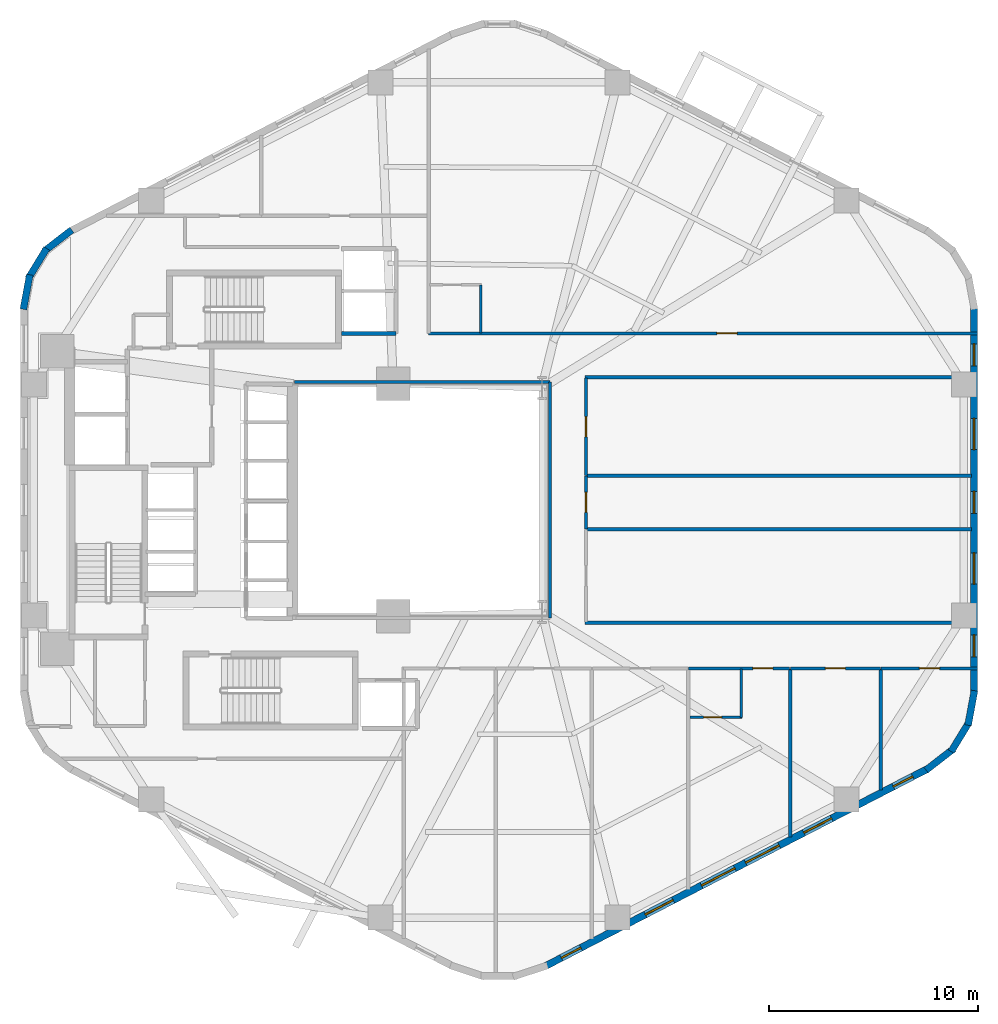
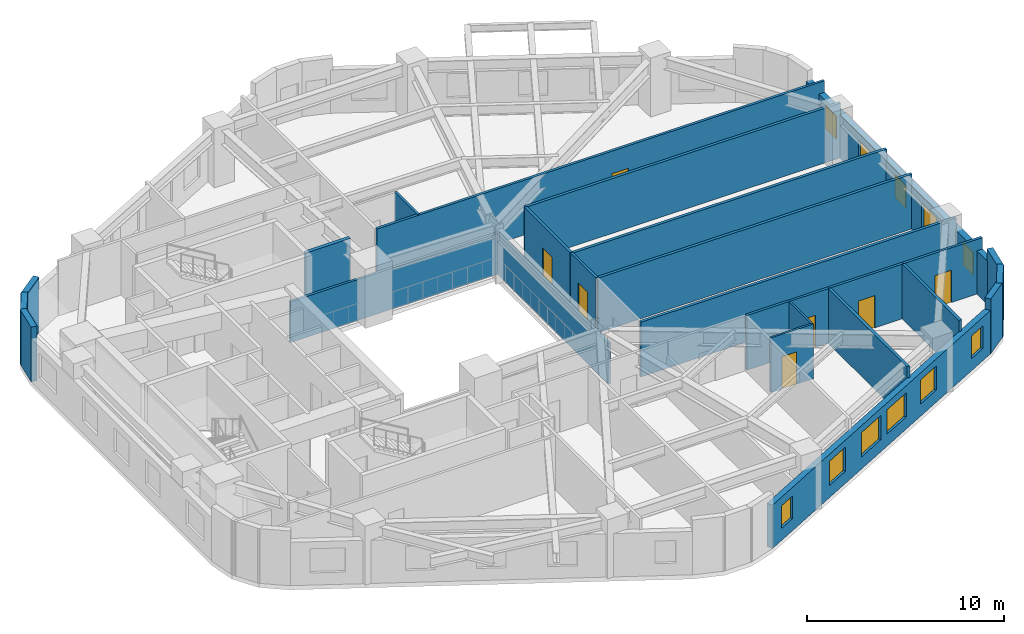
# One storey, part 4 of 7: 26 walls, 11 windows, 7 doors, 18 openings.
"""IFC4 building model written with IfcOpenShell, lengths in metres."""

from ifc_helpers import new_model, si_unit, direction, frame, frame_2d, origin, place, context, subcontext, project, spatial, rectangle, extrude, material, layer, layer_set, type_object, element, fill, save


model = new_model("IFC4")

# Units and contexts
model_context = context("Model", 3, precision=1e-05, world=origin(), true_north=direction((0.0, 1.0)))
body_context = subcontext(model_context, "Body", "Model", "MODEL_VIEW")
ifc_project = project(units=[si_unit("LENGTHUNIT", "METRE"), si_unit("AREAUNIT", "SQUARE_METRE"), si_unit("VOLUMEUNIT", "CUBIC_METRE"), si_unit("PLANEANGLEUNIT", "RADIAN"), si_unit("MASSUNIT", "GRAM", prefix="KILO"), si_unit("THERMODYNAMICTEMPERATUREUNIT", "KELVIN"), si_unit("POWERUNIT", "WATT")], contexts=[model_context])

# Site, building, storey
site_placement = place(None, origin())
site = spatial("IfcSite", under=ifc_project, at=site_placement, CompositionType="ELEMENT")
building_placement = place(site_placement, origin())
building = spatial("IfcBuilding", under=site, at=building_placement, Name="Skarre Station Tower", CompositionType="ELEMENT")
storey_placement = place(building_placement, frame((0.0, 0.0, 78.10009765625)))
storey = spatial("IfcBuildingStorey", under=building, at=storey_placement, Name="L20", CompositionType="ELEMENT", Elevation=78.10009765625)

# Walls
ifc_material_1 = material(Name="Acoustic Steel-Stud Gypsum Partition", Category="steel")
ifc_layer_1 = layer(ifc_material_1, 0.14990234375, Name="Acoustic Steel-Stud Gypsum Partition")
ifc_layer_set_1 = layer_set([ifc_layer_1], Name="Acoustic Steel-Stud Gypsum Partition")
wall_type_1 = type_object("IfcWallType", Name="Fire-Rated Corridor Acoustic Partition 150", PredefinedType="PARTITIONING", material=ifc_layer_set_1)
wall_1_placement = place(storey_placement, frame((39.840087890625, 29.639892578125, 0.0), z_axis=(0.0, 0.0, 1.0), x_axis=(-1.0, 0.0, 0.0)))
element("IfcWall", 1, at=wall_1_placement, inside=storey, type_object=wall_type_1, Name="L20 Interior Partition WL-PT-L20-ATRW-N", PredefinedType="PARTITIONING", context=body_context, shape_type="SweptSolid", body=[
    extrude(rectangle(XDim=12.2001953125, YDim=0.14990234375, at=frame_2d((6.10009765625, 0.0))), origin(), (0.0, 0.0, 1.0), 2.531005859375),
])
wall_2_placement = place(storey_placement, frame((39.840087890625, 18.360107421875, 0.0), z_axis=(0.0, 0.0, 1.0), x_axis=(0.0, 1.0, 0.0)))
element("IfcWall", 2, at=wall_2_placement, inside=storey, type_object=wall_type_1, Name="L20 Interior Partition WL-PT-L20-ATRW-E", PredefinedType="PARTITIONING", context=body_context, shape_type="SweptSolid", body=[
    extrude(rectangle(XDim=11.27978515625, YDim=0.14990234375, at=frame_2d((5.639892578125, 0.0))), origin(), (0.0, 0.0, 1.0), 2.512939453125),
])

# Wall, opening, door
wall_3_placement = place(storey_placement, frame((60.2529296875, 31.9599609375, 0.0), z_axis=(0.0, 0.0, 1.0), x_axis=(-1.0, 0.0, 0.0)))
wall_3 = element("IfcWall", 3, at=wall_3_placement, inside=storey, type_object=wall_type_1, Name="L20 Interior Partition WL-PT-L20-NW1-CW", PredefinedType="PARTITIONING", context=body_context, shape_type="SweptSolid", body=[
    extrude(rectangle(XDim=26.212890625, YDim=0.14990234375, at=frame_2d((13.1064453125, 0.0))), origin(), (0.0, 0.0, 1.0), 3.389892578125),
])
opening_1_placement = place(wall_3_placement, frame((11.47705078125, 0.0, 0.0)))
opening_1 = element("IfcOpeningElement", 4, at=opening_1_placement, cuts=wall_3, Name="Opening DR-FD60", PredefinedType="OPENING", context=body_context, shape_type="SweptSolid", body=[
    extrude(rectangle(XDim=0.9599609375, YDim=2.0, at=frame_2d((0.47998046875, 1.0))), frame((0.0, 0.0849609375, 0.0), z_axis=(0.0, -1.0, 0.0), x_axis=(1.0, 0.0, 0.0)), (0.0, 0.0, 1.0), 0.169921875),
])
ifc_material_2 = material(Name="Nordic White-Oak Veneer Solid-Core Fire Leaf", Category="wood")
door_type_1 = type_object("IfcDoorType", Name="Corridor Suite Entry Fire Door FD60 960x2150", OperationType="SINGLE_SWING_LEFT", PredefinedType="DOOR", material=ifc_material_2)
door_1_placement = place(opening_1_placement, origin())
door_1 = element("IfcDoor", 5, at=door_1_placement, inside=storey, type_object=door_type_1, Name="L20 NW1 Entry Door", OperationType="SINGLE_SWING_LEFT", OverallHeight=2.0, OverallWidth=0.9599609375, PredefinedType="DOOR", context=body_context, shape_type="SweptSolid", body=[
    extrude(rectangle(XDim=0.9599609375, YDim=2.0, at=frame_2d((0.47998046875, 1.0))), frame((0.0, 0.02490234375, 0.0), z_axis=(0.0, -1.0, 0.0), x_axis=(1.0, 0.0, 0.0)), (0.0, 0.0, 1.0), 0.050048828125),
])
fill(opening_1, door_1)

wall_4_placement = place(storey_placement, frame((41.56005859375, 22.62109375, 0.0), z_axis=(0.0, 0.0, 1.0), x_axis=(0.0, 1.0, 0.0)))
wall_4 = element("IfcWall", 6, at=wall_4_placement, inside=storey, type_object=wall_type_1, Name="L20 Interior Partition WL-PT-L20-EW2-CW", PredefinedType="PARTITIONING", context=body_context, shape_type="SweptSolid", body=[
    extrude(rectangle(XDim=2.52490234375, YDim=0.14990234375, at=frame_2d((1.262451171875, 0.0))), origin(), (0.0, 0.0, 1.0), 3.389892578125),
])
opening_2_placement = place(wall_4_placement, frame((0.782958984375, 0.0, 0.0)))
opening_2 = element("IfcOpeningElement", 7, at=opening_2_placement, cuts=wall_4, Name="Opening DR-FD60", PredefinedType="OPENING", context=body_context, shape_type="SweptSolid", body=[
    extrude(rectangle(XDim=0.9599609375, YDim=2.0, at=frame_2d((0.47998046875, 1.0))), frame((0.0, 0.0849609375, 0.0), z_axis=(0.0, -1.0, 0.0), x_axis=(1.0, 0.0, 0.0)), (0.0, 0.0, 1.0), 0.169921875),
])
door_2_placement = place(opening_2_placement, origin())
door_2 = element("IfcDoor", 8, at=door_2_placement, inside=storey, type_object=door_type_1, Name="L20 EW2 Entry Door", OperationType="SINGLE_SWING_LEFT", OverallHeight=2.0, OverallWidth=0.9599609375, PredefinedType="DOOR", context=body_context, shape_type="SweptSolid", body=[
    extrude(rectangle(XDim=0.9599609375, YDim=2.0, at=frame_2d((0.47998046875, 1.0))), frame((0.0, 0.02490234375, 0.0), z_axis=(0.0, -1.0, 0.0), x_axis=(1.0, 0.0, 0.0)), (0.0, 0.0, 1.0), 0.050048828125),
])
fill(opening_2, door_2)

wall_5_placement = place(storey_placement, frame((41.56005859375, 25.181884765625, 0.0), z_axis=(0.0, 0.0, 1.0), x_axis=(0.0, 1.0, 0.0)))
wall_5 = element("IfcWall", 9, at=wall_5_placement, inside=storey, type_object=wall_type_1, Name="L20 Interior Partition WL-PT-L20-EW3-CW", PredefinedType="PARTITIONING", context=body_context, shape_type="SweptSolid", body=[
    extrude(rectangle(XDim=4.63818359375, YDim=0.14990234375, at=frame_2d((2.319091796875, 0.0))), origin(), (0.0, 0.0, 1.0), 3.389892578125),
])
opening_3_placement = place(wall_5_placement, frame((1.839111328125, 0.0, 0.0)))
opening_3 = element("IfcOpeningElement", 10, at=opening_3_placement, cuts=wall_5, Name="Opening DR-FD60", PredefinedType="OPENING", context=body_context, shape_type="SweptSolid", body=[
    extrude(rectangle(XDim=0.9599609375, YDim=2.0, at=frame_2d((0.47998046875, 1.0))), frame((0.0, 0.0849609375, 0.0), z_axis=(0.0, -1.0, 0.0), x_axis=(1.0, 0.0, 0.0)), (0.0, 0.0, 1.0), 0.169921875),
])
door_3_placement = place(opening_3_placement, origin())
door_3 = element("IfcDoor", 11, at=door_3_placement, inside=storey, type_object=door_type_1, Name="L20 EW3 Entry Door", OperationType="SINGLE_SWING_LEFT", OverallHeight=2.0, OverallWidth=0.9599609375, PredefinedType="DOOR", context=body_context, shape_type="SweptSolid", body=[
    extrude(rectangle(XDim=0.9599609375, YDim=2.0, at=frame_2d((0.47998046875, 1.0))), frame((0.0, 0.02490234375, 0.0), z_axis=(0.0, -1.0, 0.0), x_axis=(1.0, 0.0, 0.0)), (0.0, 0.0, 1.0), 0.050048828125),
])
fill(opening_3, door_3)

wall_6_placement = place(storey_placement, frame((46.4599609375, 15.9599609375, 0.0), z_axis=(0.0, 0.0, 1.0), x_axis=(1.0, 0.0, 0.0)))
wall_6 = element("IfcWall", 12, at=wall_6_placement, inside=storey, type_object=wall_type_1, Name="L20 Interior Partition WL-PT-L20-SW4-CW", PredefinedType="PARTITIONING", context=body_context, shape_type="SweptSolid", body=[
    extrude(rectangle(XDim=4.8310546875, YDim=0.14990234375, at=frame_2d((2.41552734375, 0.0))), origin(), (0.0, 0.0, 1.0), 3.389892578125),
])
opening_4_placement = place(wall_6_placement, frame((3.071044921875, 0.0, 0.0)))
opening_4 = element("IfcOpeningElement", 13, at=opening_4_placement, cuts=wall_6, Name="Opening DR-FD60", PredefinedType="OPENING", context=body_context, shape_type="SweptSolid", body=[
    extrude(rectangle(XDim=0.9599609375, YDim=2.0, at=frame_2d((0.47998046875, 1.0))), frame((0.0, 0.0849609375, 0.0), z_axis=(0.0, -1.0, 0.0), x_axis=(1.0, 0.0, 0.0)), (0.0, 0.0, 1.0), 0.169921875),
])
door_4_placement = place(opening_4_placement, origin())
door_4 = element("IfcDoor", 14, at=door_4_placement, inside=storey, type_object=door_type_1, Name="L20 SW4 Entry Door", OperationType="SINGLE_SWING_LEFT", OverallHeight=2.0, OverallWidth=0.9599609375, PredefinedType="DOOR", context=body_context, shape_type="SweptSolid", body=[
    extrude(rectangle(XDim=0.9599609375, YDim=2.0, at=frame_2d((0.47998046875, 1.0))), frame((0.0, 0.02490234375, 0.0), z_axis=(0.0, -1.0, 0.0), x_axis=(1.0, 0.0, 0.0)), (0.0, 0.0, 1.0), 0.050048828125),
])
fill(opening_4, door_4)

wall_7_placement = place(storey_placement, frame((51.326904296875, 15.9599609375, 0.0), z_axis=(0.0, 0.0, 1.0), x_axis=(1.0, 0.0, 0.0)))
wall_7 = element("IfcWall", 15, at=wall_7_placement, inside=storey, type_object=wall_type_1, Name="L20 Interior Partition WL-PT-L20-SW5-CW", PredefinedType="PARTITIONING", context=body_context, shape_type="SweptSolid", body=[
    extrude(rectangle(XDim=4.291015625, YDim=0.14990234375, at=frame_2d((2.1455078125, 0.0))), origin(), (0.0, 0.0, 1.0), 3.389892578125),
])
opening_5_placement = place(wall_7_placement, frame((1.666015625, 0.0, 0.0)))
opening_5 = element("IfcOpeningElement", 16, at=opening_5_placement, cuts=wall_7, Name="Opening DR-FD60", PredefinedType="OPENING", context=body_context, shape_type="SweptSolid", body=[
    extrude(rectangle(XDim=0.9599609375, YDim=2.0, at=frame_2d((0.47998046875, 1.0))), frame((0.0, 0.0849609375, 0.0), z_axis=(0.0, -1.0, 0.0), x_axis=(1.0, 0.0, 0.0)), (0.0, 0.0, 1.0), 0.169921875),
])
door_5_placement = place(opening_5_placement, origin())
door_5 = element("IfcDoor", 17, at=door_5_placement, inside=storey, type_object=door_type_1, Name="L20 SW5 Entry Door", OperationType="SINGLE_SWING_LEFT", OverallHeight=2.0, OverallWidth=0.9599609375, PredefinedType="DOOR", context=body_context, shape_type="SweptSolid", body=[
    extrude(rectangle(XDim=0.9599609375, YDim=2.0, at=frame_2d((0.47998046875, 1.0))), frame((0.0, 0.02490234375, 0.0), z_axis=(0.0, -1.0, 0.0), x_axis=(1.0, 0.0, 0.0)), (0.0, 0.0, 1.0), 0.050048828125),
])
fill(opening_5, door_5)

wall_8_placement = place(storey_placement, frame((55.654052734375, 15.9599609375, 0.0), z_axis=(0.0, 0.0, 1.0), x_axis=(1.0, 0.0, 0.0)))
wall_8 = element("IfcWall", 18, at=wall_8_placement, inside=storey, type_object=wall_type_1, Name="L20 Interior Partition WL-PT-L20-SW6-CW", PredefinedType="PARTITIONING", context=body_context, shape_type="SweptSolid", body=[
    extrude(rectangle(XDim=4.598876953125, YDim=0.14990234375, at=frame_2d((2.29931640625, 0.0))), origin(), (0.0, 0.0, 1.0), 3.389892578125),
])
opening_6_placement = place(wall_8_placement, frame((1.8330078125, 0.0, 0.0)))
opening_6 = element("IfcOpeningElement", 19, at=opening_6_placement, cuts=wall_8, Name="Opening DR-FD60", PredefinedType="OPENING", context=body_context, shape_type="SweptSolid", body=[
    extrude(rectangle(XDim=0.9599609375, YDim=2.0, at=frame_2d((0.47998046875, 1.0))), frame((0.0, 0.0849609375, 0.0), z_axis=(0.0, -1.0, 0.0), x_axis=(1.0, 0.0, 0.0)), (0.0, 0.0, 1.0), 0.169921875),
])
door_6_placement = place(opening_6_placement, origin())
door_6 = element("IfcDoor", 20, at=door_6_placement, inside=storey, type_object=door_type_1, Name="L20 SW6 Entry Door", OperationType="SINGLE_SWING_LEFT", OverallHeight=2.0, OverallWidth=0.9599609375, PredefinedType="DOOR", context=body_context, shape_type="SweptSolid", body=[
    extrude(rectangle(XDim=0.9599609375, YDim=2.0, at=frame_2d((0.47998046875, 1.0))), frame((0.0, 0.02490234375, 0.0), z_axis=(0.0, -1.0, 0.0), x_axis=(1.0, 0.0, 0.0)), (0.0, 0.0, 1.0), 0.050048828125),
])
fill(opening_6, door_6)

# Wall
ifc_material_3 = material(Name="Insulated Timber-Stud Gypsum Partition", Category="wood")
ifc_layer_2 = layer(ifc_material_3, 0.1201171875, Name="Insulated Timber-Stud Gypsum Partition")
ifc_layer_set_2 = layer_set([ifc_layer_2], Name="Insulated Timber-Stud Gypsum Partition")
wall_type_2 = type_object("IfcWallType", Name="Internal Suite Acoustic Partition 120", PredefinedType="PARTITIONING", material=ifc_layer_set_2)
wall_9_placement = place(storey_placement, frame((36.530029296875, 31.97998046875, 0.0), z_axis=(0.0, 0.0, 1.0), x_axis=(0.0, 1.0, 0.0)))
element("IfcWall", 21, at=wall_9_placement, inside=storey, type_object=wall_type_2, Name="L20 Interior Partition WL-PT-L20-NW1-SA2", PredefinedType="PARTITIONING", context=body_context, shape_type="SweptSolid", body=[
    extrude(rectangle(XDim=2.300048828125, YDim=0.1201171875, at=frame_2d((1.14990234375, 0.0))), origin(), (0.0, 0.0, 1.0), 3.389892578125),
])

# Wall, opening, door
wall_10_placement = place(storey_placement, frame((46.527099609375, 13.6201171875, 0.0), z_axis=(0.0, 0.0, 1.0), x_axis=(1.0, 0.0, 0.0)))
wall_10 = element("IfcWall", 22, at=wall_10_placement, inside=storey, type_object=wall_type_2, Name="L20 Interior Partition WL-PT-L20-SW4-SA1", PredefinedType="PARTITIONING", context=body_context, shape_type="SweptSolid", body=[
    extrude(rectangle(XDim=2.47998046875, YDim=0.1201171875, at=frame_2d((1.239990234375, 0.0))), origin(), (0.0, 0.0, 1.0), 3.389892578125),
])
opening_7_placement = place(wall_10_placement, frame((0.64990234375, 0.0, 0.0)))
opening_7 = element("IfcOpeningElement", 23, at=opening_7_placement, cuts=wall_10, Name="Opening DR-INT86", PredefinedType="OPENING", context=body_context, shape_type="SweptSolid", body=[
    extrude(rectangle(XDim=0.860107421875, YDim=2.0, at=frame_2d((0.43017578125, 1.0))), frame((0.0, 0.070068359375, 0.0), z_axis=(0.0, -1.0, 0.0), x_axis=(1.0, 0.0, 0.0)), (0.0, 0.0, 1.0), 0.14013671875),
])
ifc_material_4 = material(Name="Nordic Birch Acoustic Solid-Core Timber Leaf", Category="wood")
door_type_2 = type_object("IfcDoorType", Name="Internal En-Suite & Bedroom Door 860x2100", OperationType="SINGLE_SWING_LEFT", PredefinedType="DOOR", material=ifc_material_4)
door_7_placement = place(opening_7_placement, origin())
door_7 = element("IfcDoor", 24, at=door_7_placement, inside=storey, type_object=door_type_2, Name="L20 SW4 Alcove Store Door", OperationType="SINGLE_SWING_LEFT", OverallHeight=2.0, OverallWidth=0.860107421875, PredefinedType="DOOR", context=body_context, shape_type="SweptSolid", body=[
    extrude(rectangle(XDim=0.860107421875, YDim=2.0, at=frame_2d((0.43017578125, 1.0))), frame((0.0, 0.02490234375, 0.0), z_axis=(0.0, -1.0, 0.0), x_axis=(1.0, 0.0, 0.0)), (0.0, 0.0, 1.0), 0.050048828125),
])
fill(opening_7, door_7)

# Wall
wall_11_placement = place(storey_placement, frame((48.97705078125, 13.6201171875, 0.0), z_axis=(0.0, 0.0, 1.0), x_axis=(0.0, 1.0, 0.0)))
element("IfcWall", 25, at=wall_11_placement, inside=storey, type_object=wall_type_2, Name="L20 Interior Partition WL-PT-L20-SW4-SA2", PredefinedType="PARTITIONING", context=body_context, shape_type="SweptSolid", body=[
    extrude(rectangle(XDim=2.2998046875, YDim=0.1201171875, at=frame_2d((1.14990234375, 0.0))), origin(), (0.0, 0.0, 1.0), 3.389892578125),
])

# Wall, openings, windows
ifc_material_5 = material(Name="Precast concrete C45/55", Category="concrete")
ifc_layer_3 = layer(ifc_material_5, 0.340087890625, Name="Precast concrete C45/55")
ifc_layer_set_3 = layer_set([ifc_layer_3], Name="Precast concrete C45/55")
wall_type_3 = type_object("IfcWallType", Name="Nordic Honed Precast Facet Wall 340", PredefinedType="STANDARD", material=ifc_layer_set_3)
wall_12_placement = place(storey_placement, frame((57.8759765625, 11.158935546875, 0.0), z_axis=(0.0, 0.0, 1.0), x_axis=(-0.888634413993, -0.458616264721, 0.0)))
wall_12 = element("IfcWall", 26, at=wall_12_placement, inside=storey, type_object=wall_type_3, Name="L20 Facet 4 Nordic Precast Masonry Wall", PredefinedType="STANDARD", context=body_context, shape_type="SweptSolid", body=[
    extrude(rectangle(XDim=20.53125, YDim=0.340087890625, at=frame_2d((10.265625, 0.0))), origin(), (0.0, 0.0, 1.0), 2.683837890625),
])
opening_8_placement = place(wall_12_placement, frame((0.798095703125, 0.0, 0.75)))
opening_8 = element("IfcOpeningElement", 27, at=opening_8_placement, cuts=wall_12, Name="Opening WN-SLT", PredefinedType="OPENING", context=body_context, shape_type="SweptSolid", body=[
    extrude(rectangle(XDim=1.050048828125, YDim=1.39990234375, at=frame_2d((0.52490234375, 0.699951171875))), frame((0.0, 0.179931640625, 0.0), z_axis=(0.0, -1.0, 0.0), x_axis=(1.0, 0.0, 0.0)), (0.0, 0.0, 1.0), 0.360107421875),
])
opening_9_placement = place(wall_12_placement, frame((5.156005859375, 0.0, 0.75)))
opening_9 = element("IfcOpeningElement", 28, at=opening_9_placement, cuts=wall_12, Name="Opening WN-Z1B", PredefinedType="OPENING", context=body_context, shape_type="SweptSolid", body=[
    extrude(rectangle(XDim=1.5, YDim=1.5, at=frame_2d((0.75, 0.75))), frame((0.0, 0.179931640625, 0.0), z_axis=(0.0, -1.0, 0.0), x_axis=(1.0, 0.0, 0.0)), (0.0, 0.0, 1.0), 0.360107421875),
])
opening_10_placement = place(wall_12_placement, frame((7.97900390625, 0.0, 0.75)))
opening_10 = element("IfcOpeningElement", 29, at=opening_10_placement, cuts=wall_12, Name="Opening WN-Z1A", PredefinedType="OPENING", context=body_context, shape_type="SweptSolid", body=[
    extrude(rectangle(XDim=1.800048828125, YDim=1.5, at=frame_2d((0.89990234375, 0.75))), frame((0.0, 0.179931640625, 0.0), z_axis=(0.0, -1.0, 0.0), x_axis=(1.0, 0.0, 0.0)), (0.0, 0.0, 1.0), 0.360107421875),
])
opening_11_placement = place(wall_12_placement, frame((10.35498046875, 0.0, 0.75)))
opening_11 = element("IfcOpeningElement", 30, at=opening_11_placement, cuts=wall_12, Name="Opening WN-Z1A", PredefinedType="OPENING", context=body_context, shape_type="SweptSolid", body=[
    extrude(rectangle(XDim=1.800048828125, YDim=1.5, at=frame_2d((0.89990234375, 0.75))), frame((0.0, 0.179931640625, 0.0), z_axis=(0.0, -1.0, 0.0), x_axis=(1.0, 0.0, 0.0)), (0.0, 0.0, 1.0), 0.360107421875),
])
opening_12_placement = place(wall_12_placement, frame((13.676025390625, 0.0, 0.75)))
opening_12 = element("IfcOpeningElement", 31, at=opening_12_placement, cuts=wall_12, Name="Opening WN-Z1B", PredefinedType="OPENING", context=body_context, shape_type="SweptSolid", body=[
    extrude(rectangle(XDim=1.5, YDim=1.5, at=frame_2d((0.75, 0.75))), frame((0.0, 0.179931640625, 0.0), z_axis=(0.0, -1.0, 0.0), x_axis=(1.0, 0.0, 0.0)), (0.0, 0.0, 1.0), 0.360107421875),
])
opening_13_placement = place(wall_12_placement, frame((18.636962890625, 0.0, 0.75)))
opening_13 = element("IfcOpeningElement", 32, at=opening_13_placement, cuts=wall_12, Name="Opening WN-SLT", PredefinedType="OPENING", context=body_context, shape_type="SweptSolid", body=[
    extrude(rectangle(XDim=1.050048828125, YDim=1.39990234375, at=frame_2d((0.52490234375, 0.699951171875))), frame((0.0, 0.179931640625, 0.0), z_axis=(0.0, -1.0, 0.0), x_axis=(1.0, 0.0, 0.0)), (0.0, 0.0, 1.0), 0.360107421875),
])
ifc_material_6 = material(Name="Low-Iron Triple Glazing with Bronze Anodized Frame", Category="glass")
window_type_1 = type_object("IfcWindowType", Name="Nordic Corner Slot Window 1050x1400", PartitioningType="SINGLE_PANEL", PredefinedType="WINDOW", material=ifc_material_6)
window_1_placement = place(opening_8_placement, origin())
window_1 = element("IfcWindow", 33, at=window_1_placement, inside=storey, type_object=window_type_1, Name="L20 Facade Window WL-FAC-L20-F4-1", OverallHeight=1.39990234375, OverallWidth=1.050048828125, PartitioningType="SINGLE_PANEL", PredefinedType="WINDOW", context=body_context, shape_type="SweptSolid", body=[
    extrude(rectangle(XDim=1.050048828125, YDim=1.39990234375, at=frame_2d((0.52490234375, 0.699951171875))), frame((0.0, 0.030029296875, 0.0), z_axis=(0.0, -1.0, 0.0), x_axis=(1.0, 0.0, 0.0)), (0.0, 0.0, 1.0), 0.06005859375),
])
fill(opening_8, window_1)
window_2_placement = place(opening_13_placement, origin())
window_2 = element("IfcWindow", 34, at=window_2_placement, inside=storey, type_object=window_type_1, Name="L20 Facade Window WL-FAC-L20-F4-6", OverallHeight=1.39990234375, OverallWidth=1.050048828125, PartitioningType="SINGLE_PANEL", PredefinedType="WINDOW", context=body_context, shape_type="SweptSolid", body=[
    extrude(rectangle(XDim=1.050048828125, YDim=1.39990234375, at=frame_2d((0.52490234375, 0.699951171875))), frame((0.0, 0.030029296875, 0.0), z_axis=(0.0, -1.0, 0.0), x_axis=(1.0, 0.0, 0.0)), (0.0, 0.0, 1.0), 0.06005859375),
])
fill(opening_13, window_2)
window_type_2 = type_object("IfcWindowType", Name="Nordic Punched Triple-Glazed Window 1500x1500", PartitioningType="SINGLE_PANEL", PredefinedType="WINDOW", material=ifc_material_6)
window_3_placement = place(opening_9_placement, origin())
window_3 = element("IfcWindow", 35, at=window_3_placement, inside=storey, type_object=window_type_2, Name="L20 Facade Window WL-FAC-L20-F4-2", OverallHeight=1.5, OverallWidth=1.5, PartitioningType="SINGLE_PANEL", PredefinedType="WINDOW", context=body_context, shape_type="SweptSolid", body=[
    extrude(rectangle(XDim=1.5, YDim=1.5, at=frame_2d((0.75, 0.75))), frame((0.0, 0.030029296875, 0.0), z_axis=(0.0, -1.0, 0.0), x_axis=(1.0, 0.0, 0.0)), (0.0, 0.0, 1.0), 0.06005859375),
])
fill(opening_9, window_3)
window_4_placement = place(opening_12_placement, origin())
window_4 = element("IfcWindow", 36, at=window_4_placement, inside=storey, type_object=window_type_2, Name="L20 Facade Window WL-FAC-L20-F4-5", OverallHeight=1.5, OverallWidth=1.5, PartitioningType="SINGLE_PANEL", PredefinedType="WINDOW", context=body_context, shape_type="SweptSolid", body=[
    extrude(rectangle(XDim=1.5, YDim=1.5, at=frame_2d((0.75, 0.75))), frame((0.0, 0.030029296875, 0.0), z_axis=(0.0, -1.0, 0.0), x_axis=(1.0, 0.0, 0.0)), (0.0, 0.0, 1.0), 0.06005859375),
])
fill(opening_12, window_4)
window_type_3 = type_object("IfcWindowType", Name="Nordic Punched Triple-Glazed Window 1800x1500", PartitioningType="SINGLE_PANEL", PredefinedType="WINDOW", material=ifc_material_6)
window_5_placement = place(opening_10_placement, origin())
window_5 = element("IfcWindow", 37, at=window_5_placement, inside=storey, type_object=window_type_3, Name="L20 Facade Window WL-FAC-L20-F4-3", OverallHeight=1.5, OverallWidth=1.800048828125, PartitioningType="SINGLE_PANEL", PredefinedType="WINDOW", context=body_context, shape_type="SweptSolid", body=[
    extrude(rectangle(XDim=1.800048828125, YDim=1.5, at=frame_2d((0.89990234375, 0.75))), frame((0.0, 0.030029296875, 0.0), z_axis=(0.0, -1.0, 0.0), x_axis=(1.0, 0.0, 0.0)), (0.0, 0.0, 1.0), 0.06005859375),
])
fill(opening_10, window_5)
window_6_placement = place(opening_11_placement, origin())
window_6 = element("IfcWindow", 38, at=window_6_placement, inside=storey, type_object=window_type_3, Name="L20 Facade Window WL-FAC-L20-F4-4", OverallHeight=1.5, OverallWidth=1.800048828125, PartitioningType="SINGLE_PANEL", PredefinedType="WINDOW", context=body_context, shape_type="SweptSolid", body=[
    extrude(rectangle(XDim=1.800048828125, YDim=1.5, at=frame_2d((0.89990234375, 0.75))), frame((0.0, 0.030029296875, 0.0), z_axis=(0.0, -1.0, 0.0), x_axis=(1.0, 0.0, 0.0)), (0.0, 0.0, 1.0), 0.06005859375),
])
fill(opening_11, window_6)

wall_13_placement = place(storey_placement, frame((60.093017578125, 33.201904296875, 0.0), z_axis=(0.0, 0.0, 1.0), x_axis=(0.0, -1.0, 0.0)))
wall_13 = element("IfcWall", 39, at=wall_13_placement, inside=storey, type_object=wall_type_3, Name="L20 Facet 5 Nordic Precast Masonry Wall", PredefinedType="STANDARD", context=body_context, shape_type="SweptSolid", body=[
    extrude(rectangle(XDim=18.40380859375, YDim=0.340087890625, at=frame_2d((9.201904296875, 0.0))), origin(), (0.0, 0.0, 1.0), 2.683837890625),
])
opening_14_placement = place(wall_13_placement, frame((1.743896484375, 0.0, 0.75)))
opening_14 = element("IfcOpeningElement", 40, at=opening_14_placement, cuts=wall_13, Name="Opening WN-SLT", PredefinedType="OPENING", context=body_context, shape_type="SweptSolid", body=[
    extrude(rectangle(XDim=1.050048828125, YDim=1.39990234375, at=frame_2d((0.52490234375, 0.699951171875))), frame((0.0, 0.179931640625, 0.0), z_axis=(0.0, -1.0, 0.0), x_axis=(1.0, 0.0, 0.0)), (0.0, 0.0, 1.0), 0.360107421875),
])
opening_15_placement = place(wall_13_placement, frame((5.298095703125, 0.0, 0.75)))
opening_15 = element("IfcOpeningElement", 41, at=opening_15_placement, cuts=wall_13, Name="Opening WN-Z1B", PredefinedType="OPENING", context=body_context, shape_type="SweptSolid", body=[
    extrude(rectangle(XDim=1.5, YDim=1.5, at=frame_2d((0.75, 0.75))), frame((0.0, 0.179931640625, 0.0), z_axis=(0.0, -1.0, 0.0), x_axis=(1.0, 0.0, 0.0)), (0.0, 0.0, 1.0), 0.360107421875),
])
opening_16_placement = place(wall_13_placement, frame((8.79296875, 0.0, 0.75)))
opening_16 = element("IfcOpeningElement", 42, at=opening_16_placement, cuts=wall_13, Name="Opening WN-SLT", PredefinedType="OPENING", context=body_context, shape_type="SweptSolid", body=[
    extrude(rectangle(XDim=1.050048828125, YDim=1.39990234375, at=frame_2d((0.52490234375, 0.699951171875))), frame((0.0, 0.179931640625, 0.0), z_axis=(0.0, -1.0, 0.0), x_axis=(1.0, 0.0, 0.0)), (0.0, 0.0, 1.0), 0.360107421875),
])
opening_17_placement = place(wall_13_placement, frame((11.721923828125, 0.0, 0.75)))
opening_17 = element("IfcOpeningElement", 43, at=opening_17_placement, cuts=wall_13, Name="Opening WN-Z1B", PredefinedType="OPENING", context=body_context, shape_type="SweptSolid", body=[
    extrude(rectangle(XDim=1.5, YDim=1.5, at=frame_2d((0.75, 0.75))), frame((0.0, 0.179931640625, 0.0), z_axis=(0.0, -1.0, 0.0), x_axis=(1.0, 0.0, 0.0)), (0.0, 0.0, 1.0), 0.360107421875),
])
opening_18_placement = place(wall_13_placement, frame((15.64990234375, 0.0, 0.75)))
opening_18 = element("IfcOpeningElement", 44, at=opening_18_placement, cuts=wall_13, Name="Opening WN-SLT", PredefinedType="OPENING", context=body_context, shape_type="SweptSolid", body=[
    extrude(rectangle(XDim=1.050048828125, YDim=1.39990234375, at=frame_2d((0.52490234375, 0.699951171875))), frame((0.0, 0.179931640625, 0.0), z_axis=(0.0, -1.0, 0.0), x_axis=(1.0, 0.0, 0.0)), (0.0, 0.0, 1.0), 0.360107421875),
])
window_7_placement = place(opening_14_placement, origin())
window_7 = element("IfcWindow", 45, at=window_7_placement, inside=storey, type_object=window_type_1, Name="L20 Facade Window WL-FAC-L20-F5-1", OverallHeight=1.39990234375, OverallWidth=1.050048828125, PartitioningType="SINGLE_PANEL", PredefinedType="WINDOW", context=body_context, shape_type="SweptSolid", body=[
    extrude(rectangle(XDim=1.050048828125, YDim=1.39990234375, at=frame_2d((0.52490234375, 0.699951171875))), frame((0.0, 0.030029296875, 0.0), z_axis=(0.0, -1.0, 0.0), x_axis=(1.0, 0.0, 0.0)), (0.0, 0.0, 1.0), 0.06005859375),
])
fill(opening_14, window_7)
window_8_placement = place(opening_16_placement, origin())
window_8 = element("IfcWindow", 46, at=window_8_placement, inside=storey, type_object=window_type_1, Name="L20 Facade Window WL-FAC-L20-F5-3", OverallHeight=1.39990234375, OverallWidth=1.050048828125, PartitioningType="SINGLE_PANEL", PredefinedType="WINDOW", context=body_context, shape_type="SweptSolid", body=[
    extrude(rectangle(XDim=1.050048828125, YDim=1.39990234375, at=frame_2d((0.52490234375, 0.699951171875))), frame((0.0, 0.030029296875, 0.0), z_axis=(0.0, -1.0, 0.0), x_axis=(1.0, 0.0, 0.0)), (0.0, 0.0, 1.0), 0.06005859375),
])
fill(opening_16, window_8)
window_9_placement = place(opening_18_placement, origin())
window_9 = element("IfcWindow", 47, at=window_9_placement, inside=storey, type_object=window_type_1, Name="L20 Facade Window WL-FAC-L20-F5-5", OverallHeight=1.39990234375, OverallWidth=1.050048828125, PartitioningType="SINGLE_PANEL", PredefinedType="WINDOW", context=body_context, shape_type="SweptSolid", body=[
    extrude(rectangle(XDim=1.050048828125, YDim=1.39990234375, at=frame_2d((0.52490234375, 0.699951171875))), frame((0.0, 0.030029296875, 0.0), z_axis=(0.0, -1.0, 0.0), x_axis=(1.0, 0.0, 0.0)), (0.0, 0.0, 1.0), 0.06005859375),
])
fill(opening_18, window_9)
window_10_placement = place(opening_15_placement, origin())
window_10 = element("IfcWindow", 48, at=window_10_placement, inside=storey, type_object=window_type_2, Name="L20 Facade Window WL-FAC-L20-F5-2", OverallHeight=1.5, OverallWidth=1.5, PartitioningType="SINGLE_PANEL", PredefinedType="WINDOW", context=body_context, shape_type="SweptSolid", body=[
    extrude(rectangle(XDim=1.5, YDim=1.5, at=frame_2d((0.75, 0.75))), frame((0.0, 0.030029296875, 0.0), z_axis=(0.0, -1.0, 0.0), x_axis=(1.0, 0.0, 0.0)), (0.0, 0.0, 1.0), 0.06005859375),
])
fill(opening_15, window_10)
window_11_placement = place(opening_17_placement, origin())
window_11 = element("IfcWindow", 49, at=window_11_placement, inside=storey, type_object=window_type_2, Name="L20 Facade Window WL-FAC-L20-F5-4", OverallHeight=1.5, OverallWidth=1.5, PartitioningType="SINGLE_PANEL", PredefinedType="WINDOW", context=body_context, shape_type="SweptSolid", body=[
    extrude(rectangle(XDim=1.5, YDim=1.5, at=frame_2d((0.75, 0.75))), frame((0.0, 0.030029296875, 0.0), z_axis=(0.0, -1.0, 0.0), x_axis=(1.0, 0.0, 0.0)), (0.0, 0.0, 1.0), 0.06005859375),
])
fill(opening_17, window_11)

# Walls
ifc_layer_4 = layer(ifc_material_5, 0.330078125, Name="Precast concrete C45/55")
ifc_layer_set_4 = layer_set([ifc_layer_4], Name="Precast concrete C45/55")
wall_type_4 = type_object("IfcWallType", Name="Nordic Rounded Corner Precast Wall 330", PredefinedType="STANDARD", material=ifc_layer_set_4)
wall_14_placement = place(storey_placement, frame((14.68701171875, 33.10791015625, 0.0), z_axis=(0.0, 0.0, 1.0), x_axis=(0.181714143354, 0.983351397063, 0.0)))
element("IfcWall", 50, at=wall_14_placement, inside=storey, type_object=wall_type_4, Name="L20 Rounded Corner Precast Wall F2-1", PredefinedType="STANDARD", context=body_context, shape_type="SweptSolid", body=[
    extrude(rectangle(XDim=1.677978515625, YDim=0.330078125, at=frame_2d((0.8388671875, 0.0))), origin(), (0.0, 0.0, 1.0), 3.389892578125),
])
wall_15_placement = place(storey_placement, frame((14.925048828125, 34.5830078125, 0.0), z_axis=(0.0, 0.0, 1.0), x_axis=(0.520584129191, 0.853810379671, 0.0)))
element("IfcWall", 51, at=wall_15_placement, inside=storey, type_object=wall_type_4, Name="L20 Rounded Corner Precast Wall F2-2", PredefinedType="STANDARD", context=body_context, shape_type="SweptSolid", body=[
    extrude(rectangle(XDim=1.677001953125, YDim=0.330078125, at=frame_2d((0.83837890625, 0.0))), origin(), (0.0, 0.0, 1.0), 3.389892578125),
])
wall_16_placement = place(storey_placement, frame((15.673095703125, 35.875, 0.0), z_axis=(0.0, 0.0, 1.0), x_axis=(0.790691856293, 0.61221433207, 0.0)))
element("IfcWall", 52, at=wall_16_placement, inside=storey, type_object=wall_type_4, Name="L20 Rounded Corner Precast Wall F2-3", PredefinedType="STANDARD", context=body_context, shape_type="SweptSolid", body=[
    extrude(rectangle(XDim=1.67578125, YDim=0.330078125, at=frame_2d((0.837890625, 0.0))), origin(), (0.0, 0.0, 1.0), 3.389892578125),
])
wall_17_placement = place(storey_placement, frame((60.113037109375, 14.89208984375, 0.0), z_axis=(0.0, 0.0, 1.0), x_axis=(-0.181714143354, -0.983351397063, 0.0)))
element("IfcWall", 53, at=wall_17_placement, inside=storey, type_object=wall_type_4, Name="L20 Rounded Corner Precast Wall F5-1", PredefinedType="STANDARD", context=body_context, shape_type="SweptSolid", body=[
    extrude(rectangle(XDim=1.677978515625, YDim=0.330078125, at=frame_2d((0.8388671875, 0.0))), origin(), (0.0, 0.0, 1.0), 3.389892578125),
])
wall_18_placement = place(storey_placement, frame((59.875, 13.4169921875, 0.0), z_axis=(0.0, 0.0, 1.0), x_axis=(-0.520584129191, -0.853810379671, 0.0)))
element("IfcWall", 54, at=wall_18_placement, inside=storey, type_object=wall_type_4, Name="L20 Rounded Corner Precast Wall F5-2", PredefinedType="STANDARD", context=body_context, shape_type="SweptSolid", body=[
    extrude(rectangle(XDim=1.677001953125, YDim=0.330078125, at=frame_2d((0.83837890625, 0.0))), origin(), (0.0, 0.0, 1.0), 3.389892578125),
])
wall_19_placement = place(storey_placement, frame((59.126953125, 12.125, 0.0), z_axis=(0.0, 0.0, 1.0), x_axis=(-0.790691856293, -0.61221433207, 0.0)))
element("IfcWall", 55, at=wall_19_placement, inside=storey, type_object=wall_type_4, Name="L20 Rounded Corner Precast Wall F5-3", PredefinedType="STANDARD", context=body_context, shape_type="SweptSolid", body=[
    extrude(rectangle(XDim=1.67578125, YDim=0.330078125, at=frame_2d((0.837890625, 0.0))), origin(), (0.0, 0.0, 1.0), 3.389892578125),
])
ifc_material_7 = material(Name="Gypsum Concrete Shaft Assembly C30/37", Category="concrete")
ifc_layer_5 = layer(ifc_material_7, 0.199951171875, Name="Gypsum Concrete Shaft Assembly C30/37")
ifc_layer_set_5 = layer_set([ifc_layer_5], Name="Gypsum Concrete Shaft Assembly C30/37")
wall_type_5 = type_object("IfcWallType", Name="Shaft & Core Fire Partition 200", PredefinedType="PARTITIONING", material=ifc_layer_set_5)
wall_20_placement = place(storey_placement, frame((32.47998046875, 31.949951171875, 0.0), z_axis=(0.0, 0.0, 1.0), x_axis=(-1.0, 0.0, 0.0)))
element("IfcWall", 56, at=wall_20_placement, inside=storey, type_object=wall_type_5, Name="L20 Interior Partition WL-PT-L20-EX-S", PredefinedType="PARTITIONING", context=body_context, shape_type="SweptSolid", body=[
    extrude(rectangle(XDim=2.60009765625, YDim=0.199951171875, at=frame_2d((1.300048828125, 0.0))), origin(), (0.0, 0.0, 1.0), 3.389892578125),
])
ifc_layer_6 = layer(ifc_material_1, 0.1650390625, Name="Acoustic Steel-Stud Gypsum Partition")
ifc_layer_set_6 = layer_set([ifc_layer_6], Name="Acoustic Steel-Stud Gypsum Partition")
wall_type_6 = type_object("IfcWallType", Name="Suite Demising Acoustic Partition 165", PredefinedType="PARTITIONING", material=ifc_layer_set_6)
for number, where, z_axis, x_axis, name in (
    (57, (41.52001953125, 18.139892578125, 0.0), (0.0, 0.0, 1.0), (1.0, 0.0, 0.0), "L20 Interior Partition WL-PT-L20-EWB-S"),
    (58, (41.52001953125, 29.860107421875, 0.0), (0.0, 0.0, 1.0), (1.0, 0.0, 0.0), "L20 Interior Partition WL-PT-L20-EWB-N"),
):
    element("IfcWall", number, at=place(storey_placement, frame(where, z_axis=z_axis, x_axis=x_axis)), inside=storey, type_object=wall_type_6, Name=name, PredefinedType="PARTITIONING", context=body_context, shape_type="SweptSolid", body=[
        extrude(rectangle(XDim=18.452880859375, YDim=0.1650390625, at=frame_2d((9.2265625, 0.0))), origin(), (0.0, 0.0, 1.0), 3.389892578125),
    ])
for number, where, z_axis, x_axis, name in (
    (59, (41.590087890625, 22.60302734375, 0.0), (0.0, 0.0, 1.0), (1.0, 0.0, 0.0), "L20 Interior Partition WL-PT-L20-EW-P1"),
    (60, (41.590087890625, 25.1640625, 0.0), (0.0, 0.0, 1.0), (1.0, 0.0, 0.0), "L20 Interior Partition WL-PT-L20-EW-P2"),
):
    element("IfcWall", number, at=place(storey_placement, frame(where, z_axis=z_axis, x_axis=x_axis)), inside=storey, type_object=wall_type_6, Name=name, PredefinedType="PARTITIONING", context=body_context, shape_type="SweptSolid", body=[
        extrude(rectangle(XDim=18.3828125, YDim=0.1650390625, at=frame_2d((9.19140625, 0.0))), origin(), (0.0, 0.0, 1.0), 3.389892578125),
    ])
wall_21_placement = place(storey_placement, frame((51.30908203125, 7.905029296875, 0.0), z_axis=(0.0, 0.0, 1.0), x_axis=(0.0, 1.0, 0.0)))
element("IfcWall", 61, at=wall_21_placement, inside=storey, type_object=wall_type_6, Name="L20 Interior Partition WL-PT-L20-SW-P4", PredefinedType="PARTITIONING", context=body_context, shape_type="SweptSolid", body=[
    extrude(rectangle(XDim=8.02490234375, YDim=0.1650390625, at=frame_2d((4.012451171875, 0.0))), origin(), (0.0, 0.0, 1.0), 3.389892578125),
])
wall_22_placement = place(storey_placement, frame((55.635986328125, 10.137939453125, 0.0), z_axis=(0.0, 0.0, 1.0), x_axis=(0.0, 1.0, 0.0)))
element("IfcWall", 62, at=wall_22_placement, inside=storey, type_object=wall_type_6, Name="L20 Interior Partition WL-PT-L20-SW-P5", PredefinedType="PARTITIONING", context=body_context, shape_type="SweptSolid", body=[
    extrude(rectangle(XDim=5.7919921875, YDim=0.1650390625, at=frame_2d((2.89599609375, 0.0))), origin(), (0.0, 0.0, 1.0), 3.389892578125),
])

save(model, "model.ifc")
